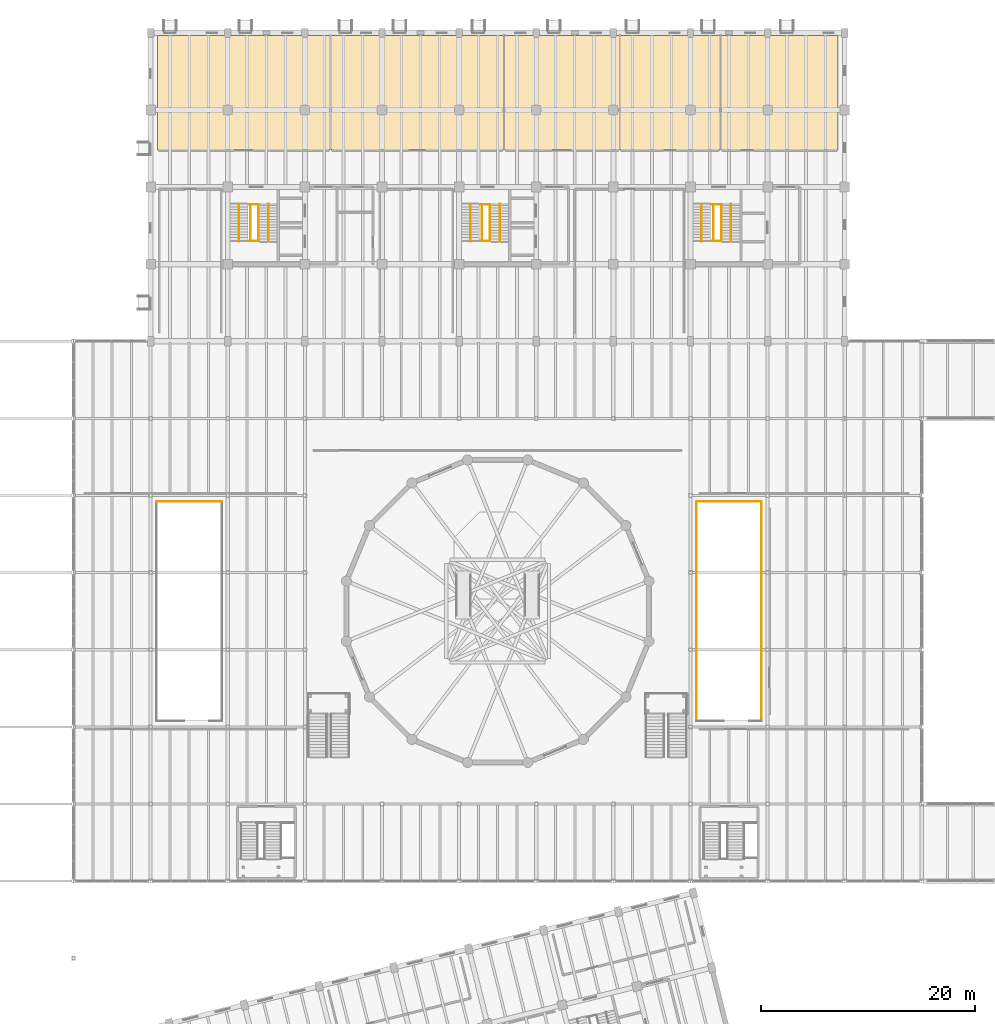
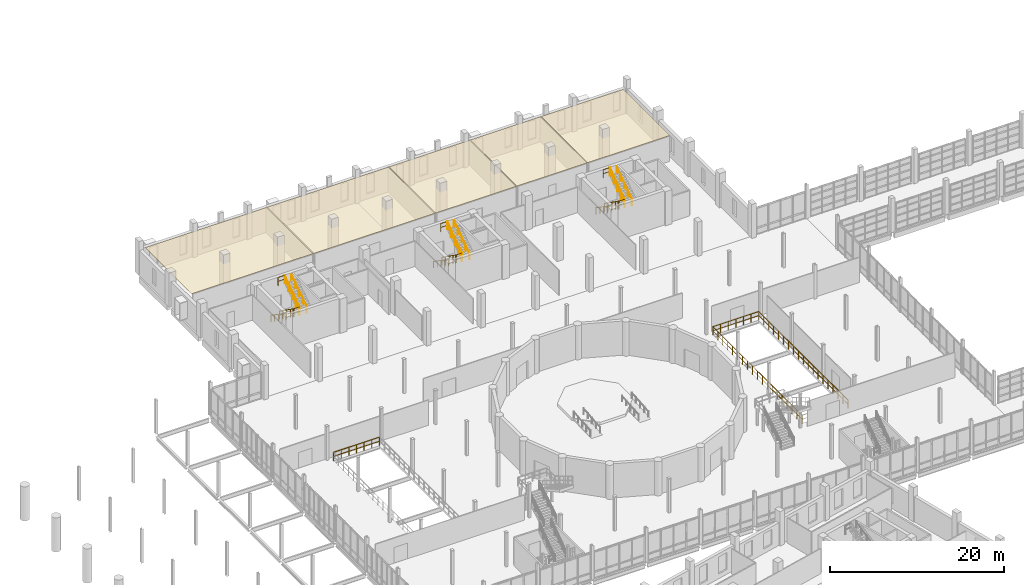
# One storey, part 76 of 77: 22 railings, 5 coverings.
"""IFC4 building model written with IfcOpenShell, lengths in metres."""

from ifc_helpers import new_model, si_unit, direction, frame, origin, origin_2d, place, context, subcontext, project, spatial, polyline, circle, outline, extrude, material, layer, layer_set, type_object, element, save


model = new_model("IFC4")

# Units and contexts
model_context = context("Model", 3, precision=1e-05, world=origin(), true_north=direction((0.0, 1.0)))
body_context = subcontext(model_context, "Body", "Model", "MODEL_VIEW")
ifc_project = project(units=[si_unit("LENGTHUNIT", "METRE"), si_unit("AREAUNIT", "SQUARE_METRE"), si_unit("VOLUMEUNIT", "CUBIC_METRE"), si_unit("PLANEANGLEUNIT", "RADIAN"), si_unit("MASSUNIT", "GRAM", prefix="KILO")], contexts=[model_context])

# Site, building, storey
site_placement = place(None, origin())
site = spatial("IfcSite", under=ifc_project, at=site_placement, CompositionType="ELEMENT")
building_placement = place(site_placement, origin())
building = spatial("IfcBuilding", under=site, at=building_placement, Name="Qiaolan Assembly House", CompositionType="ELEMENT")
storey_placement = place(building_placement, frame((0.0, 0.0, 5.39990234375)))
storey = spatial("IfcBuildingStorey", under=building, at=storey_placement, Name="L01", CompositionType="ELEMENT", Elevation=5.39990234375)

# Coverings
ifc_material_1 = material(Name="Gypsum plasterboard acoustic ceiling")
ifc_layer_1 = layer(ifc_material_1, 0.044921875)
ifc_layer_set_1 = layer_set([ifc_layer_1], Name="Gypsum plasterboard acoustic ceiling")
covering_type_1 = type_object("IfcCoveringType", Name="COV-CEIL-ACOUSTIC", PredefinedType="CEILING", material=ifc_layer_set_1)
covering_1_placement = place(storey_placement, frame((0.0, 0.0, 3.47509765625)))
element("IfcCovering", 1, at=covering_1_placement, inside=storey, type_object=covering_type_1, Name="Suspended ceiling Public Hearing Witness Waiting Lounge", PredefinedType="CEILING", context=body_context, shape_type="SweptSolid", body=[
    extrude(outline(polyline([(69.0400390625, 104.239990234375), (79.760009765625, 104.239990234375), (79.760009765625, 114.949951171875), (69.0400390625, 114.949951171875), (69.0400390625, 104.239990234375)])), origin(), (0.0, 0.0, 1.0), 0.044921875),
])
covering_2_placement = place(storey_placement, frame((0.0, 0.0, 3.47509765625)))
element("IfcCovering", 2, at=covering_2_placement, inside=storey, type_object=covering_type_1, Name="Suspended ceiling Simultaneous Interpretation & AV Control Room", PredefinedType="CEILING", context=body_context, shape_type="SweptSolid", body=[
    extrude(outline(polyline([(79.840087890625, 104.239990234375), (89.159912109375, 104.239990234375), (89.159912109375, 114.949951171875), (79.840087890625, 114.949951171875), (79.840087890625, 104.239990234375)])), origin(), (0.0, 0.0, 1.0), 0.044921875),
])
covering_3_placement = place(storey_placement, frame((0.0, 0.0, 3.47509765625)))
element("IfcCovering", 3, at=covering_3_placement, inside=storey, type_object=covering_type_1, Name="Suspended ceiling Legislative Drafting & Clerks Office", PredefinedType="CEILING", context=body_context, shape_type="SweptSolid", body=[
    extrude(outline(polyline([(89.239990234375, 104.239990234375), (100.159912109375, 104.239990234375), (100.159912109375, 114.949951171875), (89.239990234375, 114.949951171875), (89.239990234375, 104.239990234375)])), origin(), (0.0, 0.0, 1.0), 0.044921875),
])
ifc_layer_2 = layer(ifc_material_1, 0.052001953125)
ifc_layer_set_2 = layer_set([ifc_layer_2], Name="Gypsum plasterboard acoustic ceiling")
covering_type_2 = type_object("IfcCoveringType", Name="COV-CEIL-GYPSUM", PredefinedType="CEILING", material=ifc_layer_set_2)
covering_4_placement = place(storey_placement, frame((0.0, 0.0, 3.468017578125)))
element("IfcCovering", 4, at=covering_4_placement, inside=storey, type_object=covering_type_2, Name="Suspended ceiling Committee Room 1 — Urban Planning & Land", PredefinedType="CEILING", context=body_context, shape_type="SweptSolid", body=[
    extrude(outline(polyline([(36.639892578125, 104.239990234375), (52.760009765625, 104.239990234375), (52.760009765625, 114.949951171875), (36.639892578125, 114.949951171875), (36.639892578125, 104.239990234375)])), origin(), (0.0, 0.0, 1.0), 0.052001953125),
])
covering_5_placement = place(storey_placement, frame((0.0, 0.0, 3.468017578125)))
element("IfcCovering", 5, at=covering_5_placement, inside=storey, type_object=covering_type_2, Name="Suspended ceiling Committee Room 2 — Municipal Finance & Budget", PredefinedType="CEILING", context=body_context, shape_type="SweptSolid", body=[
    extrude(outline(polyline([(52.840087890625, 104.239990234375), (68.9599609375, 104.239990234375), (68.9599609375, 114.949951171875), (52.840087890625, 114.949951171875), (52.840087890625, 104.239990234375)])), origin(), (0.0, 0.0, 1.0), 0.052001953125),
])

# Railings
ifc_material_2 = material(Name="Anodised bronze aluminium", Category="aluminium")
railing_type_1 = type_object("IfcRailingType", Name="RAL-GUARD-GALLERY-1200", PredefinedType="BALUSTRADE", material=ifc_material_2)
railing_1_placement = place(storey_placement, frame((36.550048828125, 71.449951171875, 0.0)))
element("IfcRailing", 6, at=railing_1_placement, inside=storey, type_object=railing_type_1, Name="GR-02 Public Hall Atrium Void Balustrade W L01 seg 3", PredefinedType="BALUSTRADE", context=body_context, shape_type="SweptSolid", body=[
    extrude(circle(Radius=0.02392578125, at=origin_2d()), frame((0.0, 0.0, 1.17578125), z_axis=(1.0, 0.0, 0.0), x_axis=(0.0, 1.0, 0.0)), (0.0, 0.0, 1.0), 6.099853515625),
    extrude(circle(Radius=0.01611328125, at=origin_2d()), frame((0.0, 0.0, 0.60009765625), z_axis=(1.0, 0.0, 0.0), x_axis=(0.0, 1.0, 0.0)), (0.0, 0.0, 1.0), 6.099853515625),
    extrude(circle(Radius=0.02099609375, at=origin_2d()), origin(), (0.0, 0.0, 1.0), 1.15185546875),
    extrude(circle(Radius=0.02099609375, at=origin_2d()), frame((1.0166015625, 0.0, 0.0)), (0.0, 0.0, 1.0), 1.15185546875),
    extrude(circle(Radius=0.02099609375, at=origin_2d()), frame((2.033203125, 0.0, 0.0)), (0.0, 0.0, 1.0), 1.15185546875),
    extrude(circle(Radius=0.02099609375, at=origin_2d()), frame((3.0498046875, 0.0, 0.0)), (0.0, 0.0, 1.0), 1.15185546875),
    extrude(circle(Radius=0.02099609375, at=origin_2d()), frame((4.066650390625, 0.0, 0.0)), (0.0, 0.0, 1.0), 1.15185546875),
    extrude(circle(Radius=0.02099609375, at=origin_2d()), frame((5.083251953125, 0.0, 0.0)), (0.0, 0.0, 1.0), 1.15185546875),
    extrude(circle(Radius=0.02099609375, at=origin_2d()), frame((6.099853515625, 0.0, 0.0)), (0.0, 0.0, 1.0), 1.15185546875),
])
railing_2_placement = place(storey_placement, frame((86.949951171875, 50.949951171875, 0.0)))
element("IfcRailing", 7, at=railing_2_placement, inside=storey, type_object=railing_type_1, Name="GR-02 Public Hall Atrium Void Balustrade E L01 seg 2", PredefinedType="BALUSTRADE", context=body_context, shape_type="SweptSolid", body=[
    extrude(circle(Radius=0.02392578125, at=origin_2d()), frame((0.0, 0.0, 1.17578125), z_axis=(0.0, 1.0, 0.0), x_axis=(-1.0, 0.0, 0.0)), (0.0, 0.0, 1.0), 20.5),
    extrude(circle(Radius=0.01611328125, at=origin_2d()), frame((0.0, 0.0, 0.60009765625), z_axis=(0.0, 1.0, 0.0), x_axis=(-1.0, 0.0, 0.0)), (0.0, 0.0, 1.0), 20.5),
    extrude(circle(Radius=0.02099609375, at=origin_2d()), origin(), (0.0, 0.0, 1.0), 1.15185546875),
    extrude(circle(Radius=0.02099609375, at=origin_2d()), frame((0.0, 1.138916015625, 0.0)), (0.0, 0.0, 1.0), 1.15185546875),
    extrude(circle(Radius=0.02099609375, at=origin_2d()), frame((0.0, 2.27783203125, 0.0)), (0.0, 0.0, 1.0), 1.15185546875),
    extrude(circle(Radius=0.02099609375, at=origin_2d()), frame((0.0, 3.416748046875, 0.0)), (0.0, 0.0, 1.0), 1.15185546875),
    extrude(circle(Radius=0.02099609375, at=origin_2d()), frame((0.0, 4.5556640625, 0.0)), (0.0, 0.0, 1.0), 1.15185546875),
    extrude(circle(Radius=0.02099609375, at=origin_2d()), frame((0.0, 5.6943359375, 0.0)), (0.0, 0.0, 1.0), 1.15185546875),
    extrude(circle(Radius=0.02099609375, at=origin_2d()), frame((0.0, 6.833251953125, 0.0)), (0.0, 0.0, 1.0), 1.15185546875),
    extrude(circle(Radius=0.02099609375, at=origin_2d()), frame((0.0, 7.97216796875, 0.0)), (0.0, 0.0, 1.0), 1.15185546875),
    extrude(circle(Radius=0.02099609375, at=origin_2d()), frame((0.0, 9.111083984375, 0.0)), (0.0, 0.0, 1.0), 1.15185546875),
    extrude(circle(Radius=0.02099609375, at=origin_2d()), frame((0.0, 10.25, 0.0)), (0.0, 0.0, 1.0), 1.15185546875),
    extrude(circle(Radius=0.02099609375, at=origin_2d()), frame((0.0, 11.388916015625, 0.0)), (0.0, 0.0, 1.0), 1.15185546875),
    extrude(circle(Radius=0.02099609375, at=origin_2d()), frame((0.0, 12.52783203125, 0.0)), (0.0, 0.0, 1.0), 1.15185546875),
    extrude(circle(Radius=0.02099609375, at=origin_2d()), frame((0.0, 13.666748046875, 0.0)), (0.0, 0.0, 1.0), 1.15185546875),
    extrude(circle(Radius=0.02099609375, at=origin_2d()), frame((0.0, 14.8056640625, 0.0)), (0.0, 0.0, 1.0), 1.15185546875),
    extrude(circle(Radius=0.02099609375, at=origin_2d()), frame((0.0, 15.9443359375, 0.0)), (0.0, 0.0, 1.0), 1.15185546875),
    extrude(circle(Radius=0.02099609375, at=origin_2d()), frame((0.0, 17.083251953125, 0.0)), (0.0, 0.0, 1.0), 1.15185546875),
    extrude(circle(Radius=0.02099609375, at=origin_2d()), frame((0.0, 18.22216796875, 0.0)), (0.0, 0.0, 1.0), 1.15185546875),
    extrude(circle(Radius=0.02099609375, at=origin_2d()), frame((0.0, 19.361083984375, 0.0)), (0.0, 0.0, 1.0), 1.15185546875),
    extrude(circle(Radius=0.02099609375, at=origin_2d()), frame((0.0, 20.5, 0.0)), (0.0, 0.0, 1.0), 1.15185546875),
])
railing_3_placement = place(storey_placement, frame((86.949951171875, 71.449951171875, 0.0)))
element("IfcRailing", 8, at=railing_3_placement, inside=storey, type_object=railing_type_1, Name="GR-02 Public Hall Atrium Void Balustrade E L01 seg 3", PredefinedType="BALUSTRADE", context=body_context, shape_type="SweptSolid", body=[
    extrude(circle(Radius=0.02392578125, at=origin_2d()), frame((0.0, 0.0, 1.17578125), z_axis=(1.0, 0.0, 0.0), x_axis=(0.0, 1.0, 0.0)), (0.0, 0.0, 1.0), 6.10009765625),
    extrude(circle(Radius=0.01611328125, at=origin_2d()), frame((0.0, 0.0, 0.60009765625), z_axis=(1.0, 0.0, 0.0), x_axis=(0.0, 1.0, 0.0)), (0.0, 0.0, 1.0), 6.10009765625),
    extrude(circle(Radius=0.02099609375, at=origin_2d()), origin(), (0.0, 0.0, 1.0), 1.15185546875),
    extrude(circle(Radius=0.02099609375, at=origin_2d()), frame((1.0166015625, 0.0, 0.0)), (0.0, 0.0, 1.0), 1.15185546875),
    extrude(circle(Radius=0.02099609375, at=origin_2d()), frame((2.033447265625, 0.0, 0.0)), (0.0, 0.0, 1.0), 1.15185546875),
    extrude(circle(Radius=0.02099609375, at=origin_2d()), frame((3.050048828125, 0.0, 0.0)), (0.0, 0.0, 1.0), 1.15185546875),
    extrude(circle(Radius=0.02099609375, at=origin_2d()), frame((4.066650390625, 0.0, 0.0)), (0.0, 0.0, 1.0), 1.15185546875),
    extrude(circle(Radius=0.02099609375, at=origin_2d()), frame((5.08349609375, 0.0, 0.0)), (0.0, 0.0, 1.0), 1.15185546875),
    extrude(circle(Radius=0.02099609375, at=origin_2d()), frame((6.10009765625, 0.0, 0.0)), (0.0, 0.0, 1.0), 1.15185546875),
])
railing_4_placement = place(storey_placement, frame((93.050048828125, 71.449951171875, 0.0)))
element("IfcRailing", 9, at=railing_4_placement, inside=storey, type_object=railing_type_1, Name="GR-02 Public Hall Atrium Void Balustrade E L01 seg 4", PredefinedType="BALUSTRADE", context=body_context, shape_type="SweptSolid", body=[
    extrude(circle(Radius=0.02392578125, at=origin_2d()), frame((0.0, 0.0, 1.17578125), z_axis=(0.0, -1.0, 0.0), x_axis=(1.0, 0.0, 0.0)), (0.0, 0.0, 1.0), 20.5),
    extrude(circle(Radius=0.01611328125, at=origin_2d()), frame((0.0, 0.0, 0.60009765625), z_axis=(0.0, -1.0, 0.0), x_axis=(1.0, 0.0, 0.0)), (0.0, 0.0, 1.0), 20.5),
    extrude(circle(Radius=0.02099609375, at=origin_2d()), origin(), (0.0, 0.0, 1.0), 1.15185546875),
    extrude(circle(Radius=0.02099609375, at=origin_2d()), frame((0.0, -1.138916015625, 0.0)), (0.0, 0.0, 1.0), 1.15185546875),
    extrude(circle(Radius=0.02099609375, at=origin_2d()), frame((0.0, -2.27783203125, 0.0)), (0.0, 0.0, 1.0), 1.15185546875),
    extrude(circle(Radius=0.02099609375, at=origin_2d()), frame((0.0, -3.416748046875, 0.0)), (0.0, 0.0, 1.0), 1.15185546875),
    extrude(circle(Radius=0.02099609375, at=origin_2d()), frame((0.0, -4.5556640625, 0.0)), (0.0, 0.0, 1.0), 1.15185546875),
    extrude(circle(Radius=0.02099609375, at=origin_2d()), frame((0.0, -5.6943359375, 0.0)), (0.0, 0.0, 1.0), 1.15185546875),
    extrude(circle(Radius=0.02099609375, at=origin_2d()), frame((0.0, -6.833251953125, 0.0)), (0.0, 0.0, 1.0), 1.15185546875),
    extrude(circle(Radius=0.02099609375, at=origin_2d()), frame((0.0, -7.97216796875, 0.0)), (0.0, 0.0, 1.0), 1.15185546875),
    extrude(circle(Radius=0.02099609375, at=origin_2d()), frame((0.0, -9.111083984375, 0.0)), (0.0, 0.0, 1.0), 1.15185546875),
    extrude(circle(Radius=0.02099609375, at=origin_2d()), frame((0.0, -10.25, 0.0)), (0.0, 0.0, 1.0), 1.15185546875),
    extrude(circle(Radius=0.02099609375, at=origin_2d()), frame((0.0, -11.388916015625, 0.0)), (0.0, 0.0, 1.0), 1.15185546875),
    extrude(circle(Radius=0.02099609375, at=origin_2d()), frame((0.0, -12.52783203125, 0.0)), (0.0, 0.0, 1.0), 1.15185546875),
    extrude(circle(Radius=0.02099609375, at=origin_2d()), frame((0.0, -13.666748046875, 0.0)), (0.0, 0.0, 1.0), 1.15185546875),
    extrude(circle(Radius=0.02099609375, at=origin_2d()), frame((0.0, -14.8056640625, 0.0)), (0.0, 0.0, 1.0), 1.15185546875),
    extrude(circle(Radius=0.02099609375, at=origin_2d()), frame((0.0, -15.9443359375, 0.0)), (0.0, 0.0, 1.0), 1.15185546875),
    extrude(circle(Radius=0.02099609375, at=origin_2d()), frame((0.0, -17.083251953125, 0.0)), (0.0, 0.0, 1.0), 1.15185546875),
    extrude(circle(Radius=0.02099609375, at=origin_2d()), frame((0.0, -18.22216796875, 0.0)), (0.0, 0.0, 1.0), 1.15185546875),
    extrude(circle(Radius=0.02099609375, at=origin_2d()), frame((0.0, -19.361083984375, 0.0)), (0.0, 0.0, 1.0), 1.15185546875),
    extrude(circle(Radius=0.02099609375, at=origin_2d()), frame((0.0, -20.5, 0.0)), (0.0, 0.0, 1.0), 1.15185546875),
])
railing_type_2 = type_object("IfcRailingType", Name="RAL-GUARD-STAIRWELL-1150", PredefinedType="GUARDRAIL", material=ifc_material_2)
railing_5_placement = place(storey_placement, frame((45.340087890625, 99.14990234375, 0.0)))
element("IfcRailing", 10, at=railing_5_placement, inside=storey, type_object=railing_type_2, Name="GR-01 stair inner-well guard FLT-CORE-A-L01-1", PredefinedType="GUARDRAIL", context=body_context, shape_type="SweptSolid", body=[
    extrude(circle(Radius=0.02392578125, at=origin_2d()), frame((0.0, 0.0, 1.1259765625), z_axis=(0.0, -0.815334052488, 0.578990831408), x_axis=(1.0, 0.0, 0.0)), (0.0, 0.0, 1.0), 4.1455078125),
    extrude(circle(Radius=0.01611328125, at=origin_2d()), frame((0.0, 0.0, 0.574951171875), z_axis=(0.0, -0.815334052488, 0.578990831408), x_axis=(1.0, 0.0, 0.0)), (0.0, 0.0, 1.0), 4.1455078125),
    extrude(circle(Radius=0.02099609375, at=origin_2d()), origin(), (0.0, 0.0, 1.0), 1.101806640625),
    extrude(circle(Radius=0.02099609375, at=origin_2d()), frame((0.0, -0.844970703125, 0.60009765625)), (0.0, 0.0, 1.0), 1.101806640625),
    extrude(circle(Radius=0.02099609375, at=origin_2d()), frame((0.0, -1.68994140625, 1.2001953125)), (0.0, 0.0, 1.0), 1.101806640625),
    extrude(circle(Radius=0.02099609375, at=origin_2d()), frame((0.0, -2.534912109375, 1.800048828125)), (0.0, 0.0, 1.0), 1.101806640625),
    extrude(circle(Radius=0.02099609375, at=origin_2d()), frame((0.0, -3.3798828125, 2.400146484375)), (0.0, 0.0, 1.0), 1.101806640625),
])
railing_6_placement = place(storey_placement, frame((46.080078125, 95.77001953125, 2.400146484375)))
element("IfcRailing", 11, at=railing_6_placement, inside=storey, type_object=railing_type_2, Name="GR-01 stair inner-well guard FLT-CORE-A-L01-2", PredefinedType="GUARDRAIL", context=body_context, shape_type="SweptSolid", body=[
    extrude(circle(Radius=0.02392578125, at=origin_2d()), frame((0.0, 0.0, 1.1259765625), z_axis=(0.0, 0.81536185483, 0.578951678198), x_axis=(-1.0, 0.0, 0.0)), (0.0, 0.0, 1.0), 4.145263671875),
    extrude(circle(Radius=0.01611328125, at=origin_2d()), frame((0.0, 0.0, 0.574951171875), z_axis=(0.0, 0.81536185483, 0.578951678198), x_axis=(-1.0, 0.0, 0.0)), (0.0, 0.0, 1.0), 4.145263671875),
    extrude(circle(Radius=0.02099609375, at=origin_2d()), origin(), (0.0, 0.0, 1.0), 1.101806640625),
    extrude(circle(Radius=0.02099609375, at=origin_2d()), frame((0.0, 0.844970703125, 0.60009765625)), (0.0, 0.0, 1.0), 1.101806640625),
    extrude(circle(Radius=0.02099609375, at=origin_2d()), frame((0.0, 1.68994140625, 1.199951171875)), (0.0, 0.0, 1.0), 1.101806640625),
    extrude(circle(Radius=0.02099609375, at=origin_2d()), frame((0.0, 2.534912109375, 1.7998046875)), (0.0, 0.0, 1.0), 1.101806640625),
    extrude(circle(Radius=0.02099609375, at=origin_2d()), frame((0.0, 3.3798828125, 2.39990234375)), (0.0, 0.0, 1.0), 1.101806640625),
])
for number, where, name in (
    (12, (45.179931640625, 95.77001953125, 2.400146484375), "GR-01 stairwell landing guard CORE-A L01-1"),
    (13, (45.179931640625, 99.14990234375, 4.800048828125), "GR-01 stairwell landing guard CORE-A L01-2"),
):
    element("IfcRailing", number, at=place(storey_placement, frame(where)), inside=storey, type_object=railing_type_2, Name=name, PredefinedType="GUARDRAIL", context=body_context, shape_type="SweptSolid", body=[
        extrude(circle(Radius=0.02392578125, at=origin_2d()), frame((0.0, 0.0, 1.1259765625), z_axis=(1.0, 0.0, 0.0), x_axis=(0.0, 1.0, 0.0)), (0.0, 0.0, 1.0), 0.920166015625),
        extrude(circle(Radius=0.01611328125, at=origin_2d()), frame((0.0, 0.0, 0.574951171875), z_axis=(1.0, 0.0, 0.0), x_axis=(0.0, 1.0, 0.0)), (0.0, 0.0, 1.0), 0.920166015625),
        extrude(circle(Radius=0.02099609375, at=origin_2d()), origin(), (0.0, 0.0, 1.0), 1.101806640625),
        extrude(circle(Radius=0.02099609375, at=origin_2d()), frame((0.920166015625, 0.0, 0.0)), (0.0, 0.0, 1.0), 1.101806640625),
    ])
railing_7_placement = place(storey_placement, frame((66.93994140625, 99.14990234375, 0.0)))
element("IfcRailing", 14, at=railing_7_placement, inside=storey, type_object=railing_type_2, Name="GR-01 stair inner-well guard FLT-CORE-B-L01-1", PredefinedType="GUARDRAIL", context=body_context, shape_type="SweptSolid", body=[
    extrude(circle(Radius=0.02392578125, at=origin_2d()), frame((0.0, 0.0, 1.1259765625), z_axis=(0.0, -0.815334052488, 0.578990831408), x_axis=(1.0, 0.0, 0.0)), (0.0, 0.0, 1.0), 4.1455078125),
    extrude(circle(Radius=0.01611328125, at=origin_2d()), frame((0.0, 0.0, 0.574951171875), z_axis=(0.0, -0.815334052488, 0.578990831408), x_axis=(1.0, 0.0, 0.0)), (0.0, 0.0, 1.0), 4.1455078125),
    extrude(circle(Radius=0.02099609375, at=origin_2d()), origin(), (0.0, 0.0, 1.0), 1.101806640625),
    extrude(circle(Radius=0.02099609375, at=origin_2d()), frame((0.0, -0.844970703125, 0.60009765625)), (0.0, 0.0, 1.0), 1.101806640625),
    extrude(circle(Radius=0.02099609375, at=origin_2d()), frame((0.0, -1.68994140625, 1.2001953125)), (0.0, 0.0, 1.0), 1.101806640625),
    extrude(circle(Radius=0.02099609375, at=origin_2d()), frame((0.0, -2.534912109375, 1.800048828125)), (0.0, 0.0, 1.0), 1.101806640625),
    extrude(circle(Radius=0.02099609375, at=origin_2d()), frame((0.0, -3.3798828125, 2.400146484375)), (0.0, 0.0, 1.0), 1.101806640625),
])
railing_8_placement = place(storey_placement, frame((67.679931640625, 95.77001953125, 2.400146484375)))
element("IfcRailing", 15, at=railing_8_placement, inside=storey, type_object=railing_type_2, Name="GR-01 stair inner-well guard FLT-CORE-B-L01-2", PredefinedType="GUARDRAIL", context=body_context, shape_type="SweptSolid", body=[
    extrude(circle(Radius=0.02392578125, at=origin_2d()), frame((0.0, 0.0, 1.1259765625), z_axis=(0.0, 0.81536185483, 0.578951678198), x_axis=(-1.0, 0.0, 0.0)), (0.0, 0.0, 1.0), 4.145263671875),
    extrude(circle(Radius=0.01611328125, at=origin_2d()), frame((0.0, 0.0, 0.574951171875), z_axis=(0.0, 0.81536185483, 0.578951678198), x_axis=(-1.0, 0.0, 0.0)), (0.0, 0.0, 1.0), 4.145263671875),
    extrude(circle(Radius=0.02099609375, at=origin_2d()), origin(), (0.0, 0.0, 1.0), 1.101806640625),
    extrude(circle(Radius=0.02099609375, at=origin_2d()), frame((0.0, 0.844970703125, 0.60009765625)), (0.0, 0.0, 1.0), 1.101806640625),
    extrude(circle(Radius=0.02099609375, at=origin_2d()), frame((0.0, 1.68994140625, 1.199951171875)), (0.0, 0.0, 1.0), 1.101806640625),
    extrude(circle(Radius=0.02099609375, at=origin_2d()), frame((0.0, 2.534912109375, 1.7998046875)), (0.0, 0.0, 1.0), 1.101806640625),
    extrude(circle(Radius=0.02099609375, at=origin_2d()), frame((0.0, 3.3798828125, 2.39990234375)), (0.0, 0.0, 1.0), 1.101806640625),
])
for number, where, name in (
    (16, (66.780029296875, 95.77001953125, 2.400146484375), "GR-01 stairwell landing guard CORE-B L01-1"),
    (17, (66.780029296875, 99.14990234375, 4.800048828125), "GR-01 stairwell landing guard CORE-B L01-2"),
):
    element("IfcRailing", number, at=place(storey_placement, frame(where)), inside=storey, type_object=railing_type_2, Name=name, PredefinedType="GUARDRAIL", context=body_context, shape_type="SweptSolid", body=[
        extrude(circle(Radius=0.02392578125, at=origin_2d()), frame((0.0, 0.0, 1.1259765625), z_axis=(1.0, 0.0, 0.0), x_axis=(0.0, 1.0, 0.0)), (0.0, 0.0, 1.0), 0.919921875),
        extrude(circle(Radius=0.01611328125, at=origin_2d()), frame((0.0, 0.0, 0.574951171875), z_axis=(1.0, 0.0, 0.0), x_axis=(0.0, 1.0, 0.0)), (0.0, 0.0, 1.0), 0.919921875),
        extrude(circle(Radius=0.02099609375, at=origin_2d()), origin(), (0.0, 0.0, 1.0), 1.101806640625),
        extrude(circle(Radius=0.02099609375, at=origin_2d()), frame((0.919921875, 0.0, 0.0)), (0.0, 0.0, 1.0), 1.101806640625),
    ])
railing_9_placement = place(storey_placement, frame((88.5400390625, 99.14990234375, 0.0)))
element("IfcRailing", 18, at=railing_9_placement, inside=storey, type_object=railing_type_2, Name="GR-01 stair inner-well guard FLT-CORE-G-L01-1", PredefinedType="GUARDRAIL", context=body_context, shape_type="SweptSolid", body=[
    extrude(circle(Radius=0.02392578125, at=origin_2d()), frame((0.0, 0.0, 1.1259765625), z_axis=(0.0, -0.815334052488, 0.578990831408), x_axis=(1.0, 0.0, 0.0)), (0.0, 0.0, 1.0), 4.1455078125),
    extrude(circle(Radius=0.01611328125, at=origin_2d()), frame((0.0, 0.0, 0.574951171875), z_axis=(0.0, -0.815334052488, 0.578990831408), x_axis=(1.0, 0.0, 0.0)), (0.0, 0.0, 1.0), 4.1455078125),
    extrude(circle(Radius=0.02099609375, at=origin_2d()), origin(), (0.0, 0.0, 1.0), 1.101806640625),
    extrude(circle(Radius=0.02099609375, at=origin_2d()), frame((0.0, -0.844970703125, 0.60009765625)), (0.0, 0.0, 1.0), 1.101806640625),
    extrude(circle(Radius=0.02099609375, at=origin_2d()), frame((0.0, -1.68994140625, 1.2001953125)), (0.0, 0.0, 1.0), 1.101806640625),
    extrude(circle(Radius=0.02099609375, at=origin_2d()), frame((0.0, -2.534912109375, 1.800048828125)), (0.0, 0.0, 1.0), 1.101806640625),
    extrude(circle(Radius=0.02099609375, at=origin_2d()), frame((0.0, -3.3798828125, 2.400146484375)), (0.0, 0.0, 1.0), 1.101806640625),
])
railing_10_placement = place(storey_placement, frame((89.280029296875, 95.77001953125, 2.400146484375)))
element("IfcRailing", 19, at=railing_10_placement, inside=storey, type_object=railing_type_2, Name="GR-01 stair inner-well guard FLT-CORE-G-L01-2", PredefinedType="GUARDRAIL", context=body_context, shape_type="SweptSolid", body=[
    extrude(circle(Radius=0.02392578125, at=origin_2d()), frame((0.0, 0.0, 1.1259765625), z_axis=(0.0, 0.81536185483, 0.578951678198), x_axis=(-1.0, 0.0, 0.0)), (0.0, 0.0, 1.0), 4.145263671875),
    extrude(circle(Radius=0.01611328125, at=origin_2d()), frame((0.0, 0.0, 0.574951171875), z_axis=(0.0, 0.81536185483, 0.578951678198), x_axis=(-1.0, 0.0, 0.0)), (0.0, 0.0, 1.0), 4.145263671875),
    extrude(circle(Radius=0.02099609375, at=origin_2d()), origin(), (0.0, 0.0, 1.0), 1.101806640625),
    extrude(circle(Radius=0.02099609375, at=origin_2d()), frame((0.0, 0.844970703125, 0.60009765625)), (0.0, 0.0, 1.0), 1.101806640625),
    extrude(circle(Radius=0.02099609375, at=origin_2d()), frame((0.0, 1.68994140625, 1.199951171875)), (0.0, 0.0, 1.0), 1.101806640625),
    extrude(circle(Radius=0.02099609375, at=origin_2d()), frame((0.0, 2.534912109375, 1.7998046875)), (0.0, 0.0, 1.0), 1.101806640625),
    extrude(circle(Radius=0.02099609375, at=origin_2d()), frame((0.0, 3.3798828125, 2.39990234375)), (0.0, 0.0, 1.0), 1.101806640625),
])
for number, where, name in (
    (20, (88.3798828125, 95.77001953125, 2.400146484375), "GR-01 stairwell landing guard CORE-G L01-1"),
    (21, (88.3798828125, 99.14990234375, 4.800048828125), "GR-01 stairwell landing guard CORE-G L01-2"),
):
    element("IfcRailing", number, at=place(storey_placement, frame(where)), inside=storey, type_object=railing_type_2, Name=name, PredefinedType="GUARDRAIL", context=body_context, shape_type="SweptSolid", body=[
        extrude(circle(Radius=0.02392578125, at=origin_2d()), frame((0.0, 0.0, 1.1259765625), z_axis=(1.0, 0.0, 0.0), x_axis=(0.0, 1.0, 0.0)), (0.0, 0.0, 1.0), 0.920166015625),
        extrude(circle(Radius=0.01611328125, at=origin_2d()), frame((0.0, 0.0, 0.574951171875), z_axis=(1.0, 0.0, 0.0), x_axis=(0.0, 1.0, 0.0)), (0.0, 0.0, 1.0), 0.920166015625),
        extrude(circle(Radius=0.02099609375, at=origin_2d()), origin(), (0.0, 0.0, 1.0), 1.101806640625),
        extrude(circle(Radius=0.02099609375, at=origin_2d()), frame((0.920166015625, 0.0, 0.0)), (0.0, 0.0, 1.0), 1.101806640625),
    ])
railing_type_3 = type_object("IfcRailingType", Name="RAL-HANDRAIL-STAIR-920", PredefinedType="HANDRAIL", material=ifc_material_2)
railing_11_placement = place(storey_placement, frame((44.25, 99.2099609375, 0.0)))
element("IfcRailing", 22, at=railing_11_placement, inside=storey, type_object=railing_type_3, Name="HR-01 stair handrail FLT-CORE-A-L01-1", PredefinedType="HANDRAIL", context=body_context, shape_type="SweptSolid", body=[
    extrude(circle(Radius=0.02392578125, at=origin_2d()), frame((0.0, 0.0, 0.89599609375), z_axis=(0.0, -0.824712752785, 0.565551832633), x_axis=(1.0, 0.0, 0.0)), (0.0, 0.0, 1.0), 4.243896484375),
    extrude(circle(Radius=0.02099609375, at=origin_2d()), origin(), (0.0, 0.0, 1.0), 0.871826171875),
    extrude(circle(Radius=0.02099609375, at=origin_2d()), frame((0.0, -0.875, 0.60009765625)), (0.0, 0.0, 1.0), 0.871826171875),
    extrude(circle(Radius=0.02099609375, at=origin_2d()), frame((0.0, -1.75, 1.2001953125)), (0.0, 0.0, 1.0), 0.871826171875),
    extrude(circle(Radius=0.02099609375, at=origin_2d()), frame((0.0, -2.625, 1.800048828125)), (0.0, 0.0, 1.0), 0.871826171875),
    extrude(circle(Radius=0.02099609375, at=origin_2d()), frame((0.0, -3.5, 2.400146484375)), (0.0, 0.0, 1.0), 0.871826171875),
])
railing_12_placement = place(storey_placement, frame((47.0, 95.7099609375, 2.400146484375)))
element("IfcRailing", 23, at=railing_12_placement, inside=storey, type_object=railing_type_3, Name="HR-01 stair handrail FLT-CORE-A-L01-2", PredefinedType="HANDRAIL", context=body_context, shape_type="SweptSolid", body=[
    extrude(circle(Radius=0.02392578125, at=origin_2d()), frame((0.0, 0.0, 0.89599609375), z_axis=(0.0, 0.824739584531, 0.5655127034), x_axis=(-1.0, 0.0, 0.0)), (0.0, 0.0, 1.0), 4.24365234375),
    extrude(circle(Radius=0.02099609375, at=origin_2d()), origin(), (0.0, 0.0, 1.0), 0.871826171875),
    extrude(circle(Radius=0.02099609375, at=origin_2d()), frame((0.0, 0.875, 0.60009765625)), (0.0, 0.0, 1.0), 0.871826171875),
    extrude(circle(Radius=0.02099609375, at=origin_2d()), frame((0.0, 1.75, 1.199951171875)), (0.0, 0.0, 1.0), 0.871826171875),
    extrude(circle(Radius=0.02099609375, at=origin_2d()), frame((0.0, 2.625, 1.7998046875)), (0.0, 0.0, 1.0), 0.871826171875),
    extrude(circle(Radius=0.02099609375, at=origin_2d()), frame((0.0, 3.5, 2.39990234375)), (0.0, 0.0, 1.0), 0.871826171875),
])
railing_13_placement = place(storey_placement, frame((65.85009765625, 99.2099609375, 0.0)))
element("IfcRailing", 24, at=railing_13_placement, inside=storey, type_object=railing_type_3, Name="HR-01 stair handrail FLT-CORE-B-L01-1", PredefinedType="HANDRAIL", context=body_context, shape_type="SweptSolid", body=[
    extrude(circle(Radius=0.02392578125, at=origin_2d()), frame((0.0, 0.0, 0.89599609375), z_axis=(0.0, -0.824712752785, 0.565551832633), x_axis=(1.0, 0.0, 0.0)), (0.0, 0.0, 1.0), 4.243896484375),
    extrude(circle(Radius=0.02099609375, at=origin_2d()), origin(), (0.0, 0.0, 1.0), 0.871826171875),
    extrude(circle(Radius=0.02099609375, at=origin_2d()), frame((0.0, -0.875, 0.60009765625)), (0.0, 0.0, 1.0), 0.871826171875),
    extrude(circle(Radius=0.02099609375, at=origin_2d()), frame((0.0, -1.75, 1.2001953125)), (0.0, 0.0, 1.0), 0.871826171875),
    extrude(circle(Radius=0.02099609375, at=origin_2d()), frame((0.0, -2.625, 1.800048828125)), (0.0, 0.0, 1.0), 0.871826171875),
    extrude(circle(Radius=0.02099609375, at=origin_2d()), frame((0.0, -3.5, 2.400146484375)), (0.0, 0.0, 1.0), 0.871826171875),
])
railing_14_placement = place(storey_placement, frame((68.60009765625, 95.7099609375, 2.400146484375)))
element("IfcRailing", 25, at=railing_14_placement, inside=storey, type_object=railing_type_3, Name="HR-01 stair handrail FLT-CORE-B-L01-2", PredefinedType="HANDRAIL", context=body_context, shape_type="SweptSolid", body=[
    extrude(circle(Radius=0.02392578125, at=origin_2d()), frame((0.0, 0.0, 0.89599609375), z_axis=(0.0, 0.824739584531, 0.5655127034), x_axis=(-1.0, 0.0, 0.0)), (0.0, 0.0, 1.0), 4.24365234375),
    extrude(circle(Radius=0.02099609375, at=origin_2d()), origin(), (0.0, 0.0, 1.0), 0.871826171875),
    extrude(circle(Radius=0.02099609375, at=origin_2d()), frame((0.0, 0.875, 0.60009765625)), (0.0, 0.0, 1.0), 0.871826171875),
    extrude(circle(Radius=0.02099609375, at=origin_2d()), frame((0.0, 1.75, 1.199951171875)), (0.0, 0.0, 1.0), 0.871826171875),
    extrude(circle(Radius=0.02099609375, at=origin_2d()), frame((0.0, 2.625, 1.7998046875)), (0.0, 0.0, 1.0), 0.871826171875),
    extrude(circle(Radius=0.02099609375, at=origin_2d()), frame((0.0, 3.5, 2.39990234375)), (0.0, 0.0, 1.0), 0.871826171875),
])
railing_15_placement = place(storey_placement, frame((87.449951171875, 99.2099609375, 0.0)))
element("IfcRailing", 26, at=railing_15_placement, inside=storey, type_object=railing_type_3, Name="HR-01 stair handrail FLT-CORE-G-L01-1", PredefinedType="HANDRAIL", context=body_context, shape_type="SweptSolid", body=[
    extrude(circle(Radius=0.02392578125, at=origin_2d()), frame((0.0, 0.0, 0.89599609375), z_axis=(0.0, -0.824712752785, 0.565551832633), x_axis=(1.0, 0.0, 0.0)), (0.0, 0.0, 1.0), 4.243896484375),
    extrude(circle(Radius=0.02099609375, at=origin_2d()), origin(), (0.0, 0.0, 1.0), 0.871826171875),
    extrude(circle(Radius=0.02099609375, at=origin_2d()), frame((0.0, -0.875, 0.60009765625)), (0.0, 0.0, 1.0), 0.871826171875),
    extrude(circle(Radius=0.02099609375, at=origin_2d()), frame((0.0, -1.75, 1.2001953125)), (0.0, 0.0, 1.0), 0.871826171875),
    extrude(circle(Radius=0.02099609375, at=origin_2d()), frame((0.0, -2.625, 1.800048828125)), (0.0, 0.0, 1.0), 0.871826171875),
    extrude(circle(Radius=0.02099609375, at=origin_2d()), frame((0.0, -3.5, 2.400146484375)), (0.0, 0.0, 1.0), 0.871826171875),
])
railing_16_placement = place(storey_placement, frame((90.199951171875, 95.7099609375, 2.400146484375)))
element("IfcRailing", 27, at=railing_16_placement, inside=storey, type_object=railing_type_3, Name="HR-01 stair handrail FLT-CORE-G-L01-2", PredefinedType="HANDRAIL", context=body_context, shape_type="SweptSolid", body=[
    extrude(circle(Radius=0.02392578125, at=origin_2d()), frame((0.0, 0.0, 0.89599609375), z_axis=(0.0, 0.824739584531, 0.5655127034), x_axis=(-1.0, 0.0, 0.0)), (0.0, 0.0, 1.0), 4.24365234375),
    extrude(circle(Radius=0.02099609375, at=origin_2d()), origin(), (0.0, 0.0, 1.0), 0.871826171875),
    extrude(circle(Radius=0.02099609375, at=origin_2d()), frame((0.0, 0.875, 0.60009765625)), (0.0, 0.0, 1.0), 0.871826171875),
    extrude(circle(Radius=0.02099609375, at=origin_2d()), frame((0.0, 1.75, 1.199951171875)), (0.0, 0.0, 1.0), 0.871826171875),
    extrude(circle(Radius=0.02099609375, at=origin_2d()), frame((0.0, 2.625, 1.7998046875)), (0.0, 0.0, 1.0), 0.871826171875),
    extrude(circle(Radius=0.02099609375, at=origin_2d()), frame((0.0, 3.5, 2.39990234375)), (0.0, 0.0, 1.0), 0.871826171875),
])

save(model, "model.ifc")
